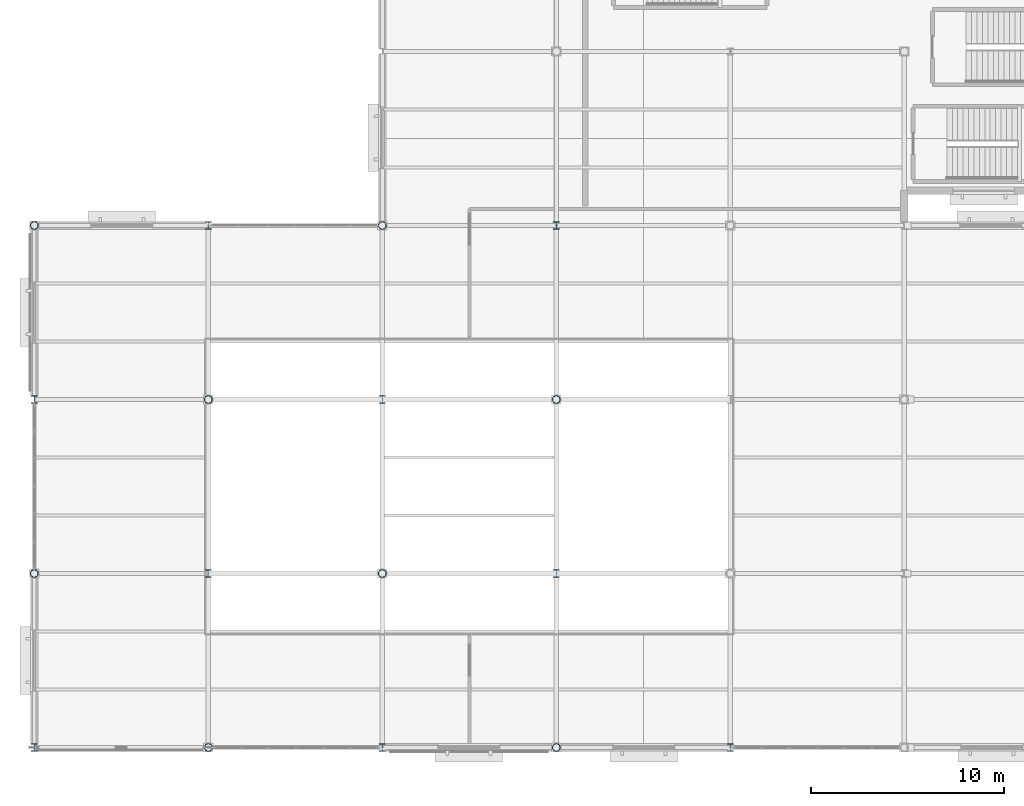
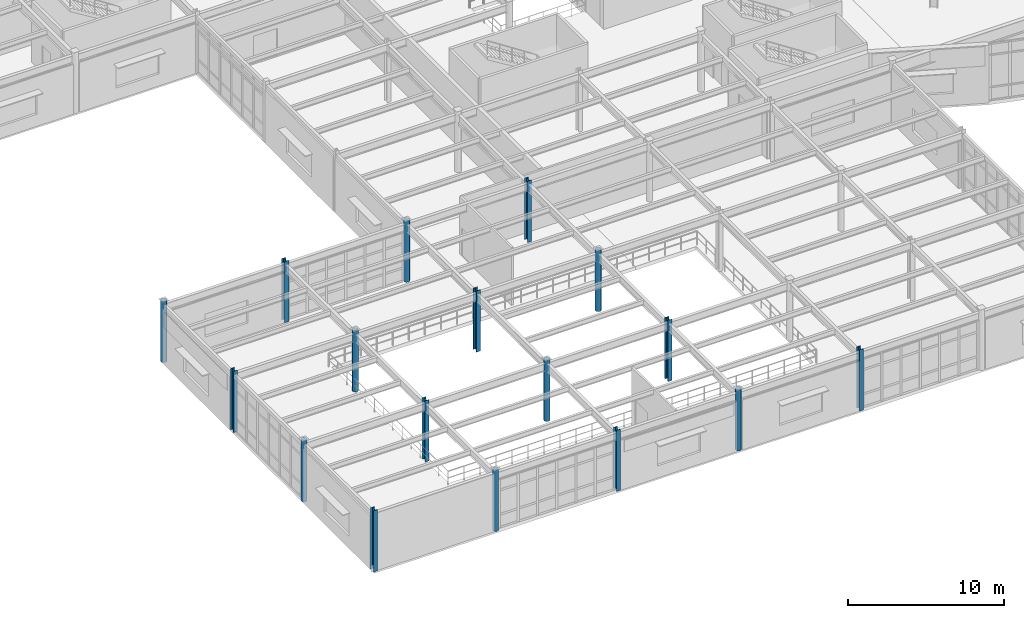
# One storey, part 1 of 86: 17 columns.
"""IFC4 building model written with IfcOpenShell, lengths in metres."""

from ifc_helpers import new_model, si_unit, direction, frame, origin, origin_2d, place, context, subcontext, project, spatial, hollow_circle, i_section, extrude, material, material_profile, profile_set, type_object, element, save


model = new_model("IFC4")

# Units and contexts
model_context = context("Model", 3, precision=1e-05, world=origin(), true_north=direction((0.0, 1.0)))
body_context = subcontext(model_context, "Body", "Model", "MODEL_VIEW")
ifc_project = project(units=[si_unit("LENGTHUNIT", "METRE"), si_unit("AREAUNIT", "SQUARE_METRE"), si_unit("VOLUMEUNIT", "CUBIC_METRE"), si_unit("PLANEANGLEUNIT", "RADIAN"), si_unit("MASSUNIT", "GRAM", prefix="KILO")], contexts=[model_context])

# Site, building, storey
site_placement = place(None, origin())
site = spatial("IfcSite", under=ifc_project, at=site_placement, CompositionType="ELEMENT")
building_placement = place(site_placement, origin())
building = spatial("IfcBuilding", under=site, at=building_placement, Name="Glasvene Arena", CompositionType="ELEMENT")
storey_placement = place(building_placement, frame((0.0, 0.0, 5.39990234375)))
storey = spatial("IfcBuildingStorey", under=building, at=storey_placement, Name="L01", CompositionType="ELEMENT", Elevation=5.39990234375)

# Columns
ifc_material = material(Name="Steel S355J2", Category="steel")
ifc_material_profile_1 = material_profile(ifc_material, hollow_circle(Radius=0.203125, WallThickness=0.01611328125, at=origin_2d()), Name="CHS 406.4x16.0")
ifc_profile_set_1 = profile_set([ifc_material_profile_1], Name="Steel S355J2")
column_type_1 = type_object("IfcColumnType", Name="COL-W-CHS406", PredefinedType="COLUMN", material=ifc_profile_set_1)
for number, where, z_axis, x_axis, name in (
    (1, (0.0, 9.0, 0.0), (0.0, 0.0, 1.0), (1.0, 0.0, 0.0), "Grid column 1-2 L01"),
    (2, (0.0, 27.0, 0.0), (0.0, 0.0, 1.0), (1.0, 0.0, 0.0), "Grid column 1-4 L01"),
    (3, (9.0, 0.0, 0.0), (0.0, 0.0, 1.0), (1.0, 0.0, 0.0), "Grid column 2-1 L01"),
    (4, (9.0, 18.0, 0.0), (0.0, 0.0, 1.0), (1.0, 0.0, 0.0), "Grid column 2-3 L01"),
    (5, (18.0, 9.0, 0.0), (0.0, 0.0, 1.0), (1.0, 0.0, 0.0), "Grid column 3-2 L01"),
    (6, (18.0, 27.0, 0.0), (0.0, 0.0, 1.0), (1.0, 0.0, 0.0), "Grid column 3-4 L01"),
    (7, (27.0, 0.0, 0.0), (0.0, 0.0, 1.0), (1.0, 0.0, 0.0), "Grid column 4-1 L01"),
    (8, (27.0, 18.0, 0.0), (0.0, 0.0, 1.0), (1.0, 0.0, 0.0), "Grid column 4-3 L01"),
):
    element("IfcColumn", number, at=place(storey_placement, frame(where, z_axis=z_axis, x_axis=x_axis)), inside=storey, type_object=column_type_1, Name=name, PredefinedType="COLUMN", context=body_context, shape_type="SweptSolid", body=[
        extrude(hollow_circle(Radius=0.203125, WallThickness=0.01611328125, at=origin_2d()), origin(), (0.0, 0.0, 1.0), 4.800048828125),
    ])
ifc_material_profile_2 = material_profile(ifc_material, i_section(OverallWidth=0.300048828125, OverallDepth=0.39990234375, WebThickness=0.013427734375, FlangeThickness=0.02392578125, FilletRadius=0.027099609375, at=origin_2d()), Name="HEB 400")
ifc_profile_set_2 = profile_set([ifc_material_profile_2], Name="Steel S355J2")
column_type_2 = type_object("IfcColumnType", Name="COL-W-HEB400", PredefinedType="COLUMN", material=ifc_profile_set_2)
for number, where, z_axis, x_axis, name in (
    (9, (0.0, 0.0, 0.0), (0.0, 0.0, 1.0), (1.0, 0.0, 0.0), "Grid column 1-1 L01"),
    (10, (0.0, 18.0, 0.0), (0.0, 0.0, 1.0), (1.0, 0.0, 0.0), "Grid column 1-3 L01"),
    (11, (9.0, 9.0, 0.0), (0.0, 0.0, 1.0), (1.0, 0.0, 0.0), "Grid column 2-2 L01"),
    (12, (9.0, 27.0, 0.0), (0.0, 0.0, 1.0), (1.0, 0.0, 0.0), "Grid column 2-4 L01"),
    (13, (18.0, 0.0, 0.0), (0.0, 0.0, 1.0), (1.0, 0.0, 0.0), "Grid column 3-1 L01"),
    (14, (18.0, 18.0, 0.0), (0.0, 0.0, 1.0), (1.0, 0.0, 0.0), "Grid column 3-3 L01"),
    (15, (27.0, 9.0, 0.0), (0.0, 0.0, 1.0), (1.0, 0.0, 0.0), "Grid column 4-2 L01"),
    (16, (27.0, 27.0, 0.0), (0.0, 0.0, 1.0), (1.0, 0.0, 0.0), "Grid column 4-4 L01"),
    (17, (36.0, 0.0, 0.0), (0.0, 0.0, 1.0), (1.0, 0.0, 0.0), "Grid column 5-1 L01"),
):
    element("IfcColumn", number, at=place(storey_placement, frame(where, z_axis=z_axis, x_axis=x_axis)), inside=storey, type_object=column_type_2, Name=name, PredefinedType="COLUMN", context=body_context, shape_type="SweptSolid", body=[
        extrude(i_section(OverallWidth=0.300048828125, OverallDepth=0.39990234375, WebThickness=0.013427734375, FlangeThickness=0.02392578125, FilletRadius=0.027099609375, at=origin_2d()), origin(), (0.0, 0.0, 1.0), 4.800048828125),
    ])

save(model, "model.ifc")
